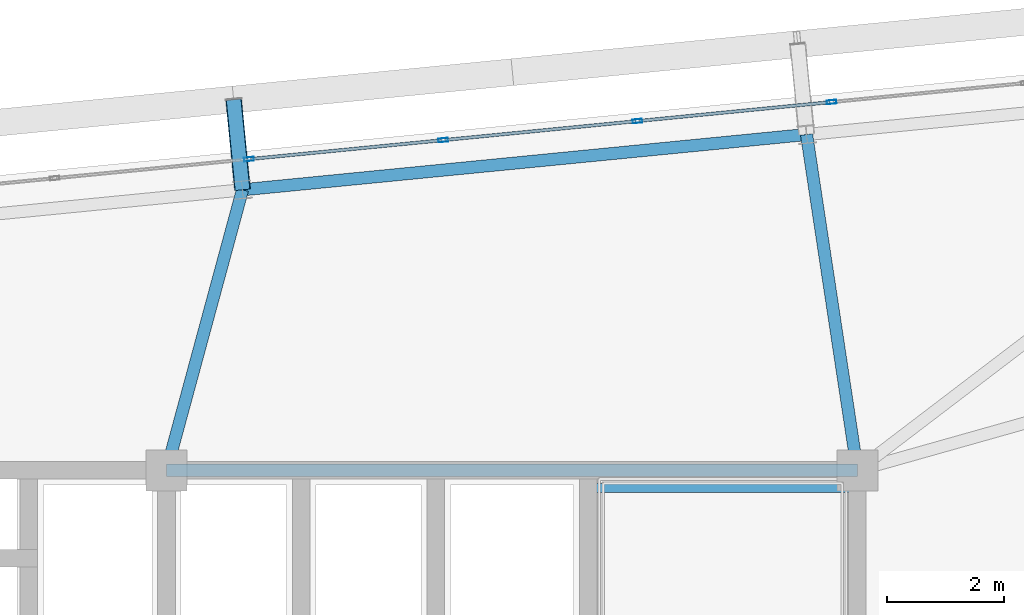
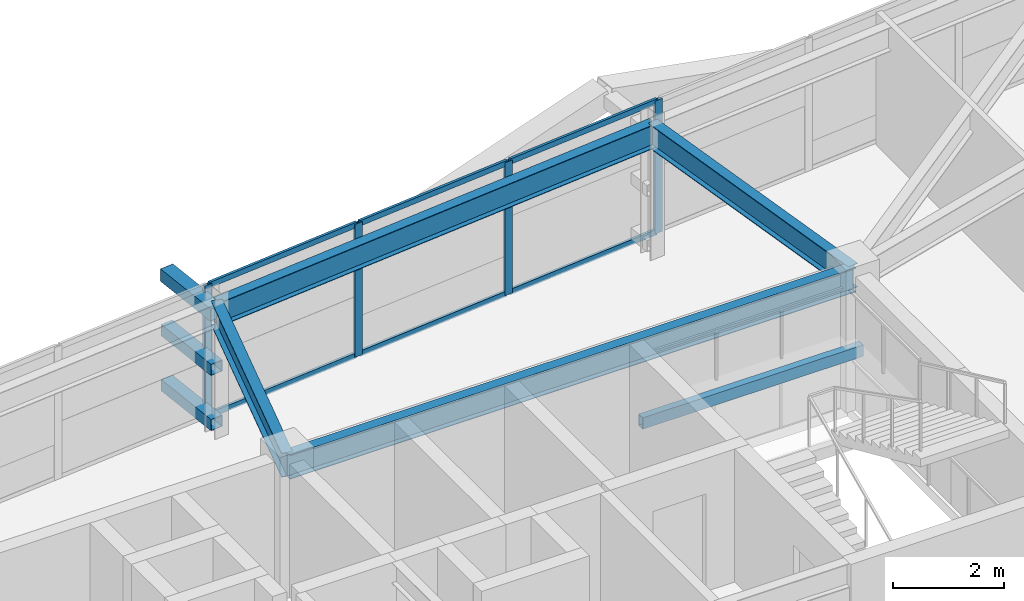
# One storey, part 31 of 53: 13 members, 5 beams, 1 element without a shape of its own.
"""IFC4 building model written with IfcOpenShell, lengths in metres."""

import ifcopenshell
import ifcopenshell.guid

model = None  # the IFC model being written
_history = None  # IfcOwnerHistory: only IFC2X3 demands one
_inside = {}  # id of a spatial element -> (the spatial element, [elements in it])
_under = {}  # id of a project, library or spatial element -> (it, [spatial elements below it])
_declared = {}  # id of a project -> (the project, [libraries it declares])
_typed = {}  # id of a type object -> (the type object, [elements of that type])
_made_of = {}  # id of a material, layer set ... -> (it, [elements and type objects made of it])


def new_model(schema):
    """Start an empty IFC model of exactly this schema.

    Asked for "IFC4X3", IfcOpenShell would pick the latest addendum, in which some entities
    have other attributes; the version numbers below select the first issue.
    IFC2X3 requires an IfcOwnerHistory on every rooted entity: one is made here for all.
    """
    global model, _history
    if schema == "IFC4X3":
        model = ifcopenshell.file(schema_version=(4, 3, 0, 0))
    else:
        model = ifcopenshell.file(schema=schema)
    _inside.clear()
    _under.clear()
    _declared.clear()
    _typed.clear()
    _made_of.clear()
    _history = None
    if model.schema == "IFC2X3":
        org = make("IfcOrganization", Name="unknown")
        user = make(
            "IfcPersonAndOrganization",
            ThePerson=make("IfcPerson", FamilyName="unknown"),
            TheOrganization=org,
        )
        app = make(
            "IfcApplication",
            ApplicationDeveloper=org,
            Version="unknown",
            ApplicationFullName="unknown",
            ApplicationIdentifier="unknown",
        )
        _history = make(
            "IfcOwnerHistory",
            OwningUser=user,
            OwningApplication=app,
            ChangeAction="ADDED",
            CreationDate=0,
        )
    return model


def make(cls, **values):
    """One entity of the class cls with the attributes given. An attribute that is None is left unset."""
    return model.create_entity(
        cls, **{name: value for name, value in values.items() if value is not None}
    )


def rooted(cls, **values):
    """An entity with a GlobalId (a new one), such as an element, a storey or a relation."""
    return make(cls, GlobalId=ifcopenshell.guid.new(), OwnerHistory=_history, **values)


def si_unit(unit_type, name, prefix=None):
    """IfcSIUnit, for example si_unit("LENGTHUNIT", "METRE", prefix="MILLI")."""
    return make("IfcSIUnit", UnitType=unit_type, Prefix=prefix, Name=name)


def assignment(units):
    """IfcUnitAssignment: the units of a project."""
    return None if units is None else make("IfcUnitAssignment", Units=units)


def point(xyz):
    """IfcCartesianPoint."""
    return None if xyz is None else make("IfcCartesianPoint", Coordinates=xyz)


def direction(xyz):
    """IfcDirection."""
    return None if xyz is None else make("IfcDirection", DirectionRatios=xyz)


def frame(location, z_axis=None, x_axis=None):
    """IfcAxis2Placement3D, a coordinate frame: its origin and axes. An axis left out is left unset."""
    return make(
        "IfcAxis2Placement3D",
        Location=point(location),
        Axis=direction(z_axis),
        RefDirection=direction(x_axis),
    )


def frame_2d(location, x_axis=None):
    """IfcAxis2Placement2D, a coordinate frame in the plane: its origin and x axis."""
    return make(
        "IfcAxis2Placement2D", Location=point(location), RefDirection=direction(x_axis)
    )


def origin():
    """The frame at (0, 0, 0) with its axes left unset."""
    return frame((0.0, 0.0, 0.0))


def origin_2d():
    """The frame at (0, 0) in the plane with its x axis left unset."""
    return frame_2d((0.0, 0.0))


def place(relative_to, where):
    """IfcLocalPlacement: puts the frame where relative to a parent placement (None: the world)."""
    return make(
        "IfcLocalPlacement", PlacementRelTo=relative_to, RelativePlacement=where
    )


def context(
    kind, dimensions, precision=None, world=None, true_north=None, identifier=None
):
    """IfcGeometricRepresentationContext, for example the 3D "Model" context."""
    return make(
        "IfcGeometricRepresentationContext",
        ContextIdentifier=identifier,
        ContextType=kind,
        CoordinateSpaceDimension=dimensions,
        Precision=precision,
        WorldCoordinateSystem=world,
        TrueNorth=true_north,
    )


def subcontext(parent, identifier, kind, view, scale=None):
    """IfcGeometricRepresentationSubContext, for example "Body" below "Model"."""
    return make(
        "IfcGeometricRepresentationSubContext",
        ContextIdentifier=identifier,
        ContextType=kind,
        ParentContext=parent,
        TargetScale=scale,
        TargetView=view,
    )


def project(units=None, contexts=None):
    """IfcProject with its units and contexts."""
    return rooted(
        "IfcProject",
        Name="project",
        RepresentationContexts=contexts,
        UnitsInContext=assignment(units),
    )


def spatial(cls, under=None, at=None, **own):
    """A site, building, storey or space (cls), placed at a placement, below another one or the project."""
    s = rooted(cls, ObjectPlacement=at, **own)
    if under is not None:
        _under.setdefault(under.id(), (under, []))[1].append(s)
    return s


def profile(cls, at=None, kind="AREA", **sizes):
    """A parametric profile (cls). Its sizes go by their IFC names, for example OverallWidth=200.0."""
    return make(cls, ProfileType=kind, Position=at, **sizes)


def hollow_rectangle(**sizes):
    """IfcRectangleHollowProfileDef."""
    return profile("IfcRectangleHollowProfileDef", **sizes)


def i_section(**sizes):
    """IfcIShapeProfileDef."""
    return profile("IfcIShapeProfileDef", **sizes)


def extrude(swept, where, along, depth):
    """IfcExtrudedAreaSolid: the profile swept, set in the frame where, extruded along a direction by depth."""
    return make(
        "IfcExtrudedAreaSolid",
        SweptArea=swept,
        Position=where,
        ExtrudedDirection=direction(along),
        Depth=depth,
    )


def shape(context_of_items, identifier, shape_type, items):
    """IfcShapeRepresentation: the items that make up one representation, for example the "Body"."""
    return make(
        "IfcShapeRepresentation",
        ContextOfItems=context_of_items,
        RepresentationIdentifier=identifier,
        RepresentationType=shape_type,
        Items=items,
    )


def source(mapping_origin, context_of_items, identifier, shape_type, items):
    """IfcRepresentationMap: a shape defined once, which mapped items show again and again."""
    return make(
        "IfcRepresentationMap",
        MappingOrigin=mapping_origin,
        MappedRepresentation=shape(context_of_items, identifier, shape_type, items),
    )


def transform(
    local_origin,
    x_axis=None,
    y_axis=None,
    z_axis=None,
    scale=None,
    scale2=None,
    scale3=None,
    uniform=True,
):
    """IfcCartesianTransformationOperator3D, or its non-uniform kind. x_axis, y_axis, z_axis: its Axis1, 2, 3."""
    if uniform:
        return make(
            "IfcCartesianTransformationOperator3D",
            Axis1=direction(x_axis),
            Axis2=direction(y_axis),
            LocalOrigin=point(local_origin),
            Scale=scale,
            Axis3=direction(z_axis),
        )
    return make(
        "IfcCartesianTransformationOperator3DnonUniform",
        Axis1=direction(x_axis),
        Axis2=direction(y_axis),
        LocalOrigin=point(local_origin),
        Scale=scale,
        Axis3=direction(z_axis),
        Scale2=scale2,
        Scale3=scale3,
    )


def mapped(mapping_source, mapping_target):
    """IfcMappedItem: shows the shape of a source again, moved by a transform."""
    return make(
        "IfcMappedItem", MappingSource=mapping_source, MappingTarget=mapping_target
    )


def material(Name=None, Category=None):
    """IfcMaterial."""
    return make("IfcMaterial", Name=Name, Category=Category)


def layer(
    of_material, thickness, ventilated=None, Name=None, Category=None, Priority=None
):
    """IfcMaterialLayer: one layer of a wall or slab, of a material (None: an air gap)."""
    return make(
        "IfcMaterialLayer",
        Material=of_material,
        LayerThickness=thickness,
        IsVentilated=ventilated,
        Name=Name,
        Category=Category,
        Priority=Priority,
    )


def layer_set(layers, Name=None):
    """IfcMaterialLayerSet."""
    return make("IfcMaterialLayerSet", MaterialLayers=layers, LayerSetName=Name)


def material_profile(
    of_material, cross_section, Name=None, Category=None, Priority=None
):
    """IfcMaterialProfile: a cross section and its material."""
    return make(
        "IfcMaterialProfile",
        Name=Name,
        Material=of_material,
        Profile=cross_section,
        Priority=Priority,
        Category=Category,
    )


def profile_set(profiles, Name=None, composite=None):
    """IfcMaterialProfileSet."""
    return make(
        "IfcMaterialProfileSet",
        Name=Name,
        MaterialProfiles=profiles,
        CompositeProfile=composite,
    )


def made_of(thing, what):
    """Note that an element or type object is made of a material, layer set ...; save() writes the relation."""
    if what is not None:
        _made_of.setdefault(what.id(), (what, []))[1].append(thing)
    return thing


def type_object(cls, material=None, **own):
    """A type object (cls), such as IfcWallType, which elements share."""
    return made_of(rooted(cls, **own), material)


def element(
    cls,
    number,
    at=None,
    inside=None,
    cuts=None,
    type_object=None,
    material=None,
    context=None,
    identifier="Body",
    shape_type=None,
    held_by="IfcProductDefinitionShape",
    body=None,
    shapes=None,
    **own,
):
    """One element of the class cls, such as IfcWall. Its Tag is "e" and its number.

    at: its placement. inside: the storey or other place that contains it. cuts: it is an
    opening in that element (IfcRelVoidsElement). A single representation is given by context,
    identifier, shape_type and body (its items); several are given by shapes. held_by: the class
    of the entity that holds the representations. save() writes the other relations.
    """
    e = rooted(cls, Tag="e%d" % number, ObjectPlacement=at, **own)
    if body is not None:
        shapes = [shape(context, identifier, shape_type, body)]
    if shapes is not None:
        e.Representation = make(held_by, Representations=shapes)
    if inside is not None:
        _inside.setdefault(inside.id(), (inside, []))[1].append(e)
    if cuts is not None:
        rooted(
            "IfcRelVoidsElement", RelatingBuildingElement=cuts, RelatedOpeningElement=e
        )
    if type_object is not None:
        _typed.setdefault(type_object.id(), (type_object, []))[1].append(e)
    return made_of(e, material)


def aggregate(whole, parts):
    """IfcRelAggregates: a whole, such as a stair, and the parts it consists of."""
    return rooted("IfcRelAggregates", RelatingObject=whole, RelatedObjects=parts)


def save(model, path):
    """Write the relations noted so far, then the file.

    IfcRelAggregates (storeys below a building ...), IfcRelContainedInSpatialStructure (elements
    in a storey), IfcRelDefinesByType, IfcRelAssociatesMaterial and IfcRelDeclares: one each for
    every whole, place, type object, material and project.
    """
    for whole, parts in _under.values():
        aggregate(whole, parts)
    for where, things in _inside.values():
        rooted(
            "IfcRelContainedInSpatialStructure",
            RelatedElements=things,
            RelatingStructure=where,
        )
    for kind, things in _typed.values():
        rooted("IfcRelDefinesByType", RelatedObjects=things, RelatingType=kind)
    for what, things in _made_of.values():
        rooted("IfcRelAssociatesMaterial", RelatedObjects=things, RelatingMaterial=what)
    for by, libraries in _declared.values():
        rooted("IfcRelDeclares", RelatingContext=by, RelatedDefinitions=libraries)
    model.write(path)


model = new_model("IFC4")

# Units and contexts
model_context = context("Model", 3, precision=1e-05, world=origin(), true_north=direction((0.0, 1.0)))
body_context = subcontext(model_context, "Body", "Model", "MODEL_VIEW")
ifc_project = project(units=[si_unit("LENGTHUNIT", "METRE"), si_unit("AREAUNIT", "SQUARE_METRE"), si_unit("VOLUMEUNIT", "CUBIC_METRE"), si_unit("PLANEANGLEUNIT", "RADIAN"), si_unit("MASSUNIT", "GRAM", prefix="KILO")], contexts=[model_context])

# Site, building, storey
site_placement = place(None, origin())
site = spatial("IfcSite", under=ifc_project, at=site_placement, CompositionType="ELEMENT")
building_placement = place(site_placement, origin())
building = spatial("IfcBuilding", under=site, at=building_placement, Name="Taldren Reach Tower", CompositionType="ELEMENT")
storey_placement = place(building_placement, frame((0.0, 0.0, 71.39990234375)))
storey = spatial("IfcBuildingStorey", under=building, at=storey_placement, Name="L21", CompositionType="ELEMENT", Elevation=71.39990234375)

# Beam
ifc_material_1 = material(Name="Steel Gr 350 (350PLUS)", Category="steel")
ifc_material_profile_1 = material_profile(ifc_material_1, i_section(OverallWidth=0.208984375, OverallDepth=0.532958984375, WebThickness=0.01025390625, FlangeThickness=0.015625, at=origin_2d()), Name="530UB92.4")
ifc_profile_set_1 = profile_set([ifc_material_profile_1], Name="Steel Gr 350 (350PLUS)")
beam_type_1 = type_object("IfcBeamType", Name="BM-UB530A", PredefinedType="BEAM", material=ifc_profile_set_1)
shared_shape_1 = source(origin(), body_context, "Body", "SweptSolid", [
    extrude(i_section(OverallWidth=0.208984375, OverallDepth=0.532958984375, WebThickness=0.01025390625, FlangeThickness=0.015625, at=origin_2d()), origin(), (0.0, 0.0, 1.0), 11.800048828125),
])
beam_1_placement = place(storey_placement, frame((39.199951171875, 32.0, 2.66357421875), z_axis=(1.0, 0.0, 0.0), x_axis=(0.0, 1.0, 0.0)))
element("IfcBeam", 1, at=beam_1_placement, inside=storey, type_object=beam_type_1, Name="Core-spine girder L21-SP06", PredefinedType="BEAM", context=body_context, shape_type="MappedRepresentation", body=[
    mapped(shared_shape_1, transform((0.0, 0.0, 0.0), scale=1.0)),
])

# Members
ifc_material_2 = material(Name="Steel Gr 450 (C450L0)", Category="steel")
ifc_material_profile_2 = material_profile(ifc_material_2, hollow_rectangle(XDim=0.27490234375, YDim=0.27490234375, WallThickness=0.00927734375, at=origin_2d()), Name="275x275x9.3SHS")
ifc_profile_set_2 = profile_set([ifc_material_profile_2], Name="Steel Gr 450 (C450L0)")
member_type_1 = type_object("IfcMemberType", Name="MB-TIE273", PredefinedType="STRUT", material=ifc_profile_set_2)
shared_shape_2 = source(origin(), body_context, "Body", "SweptSolid", [
    extrude(hollow_rectangle(XDim=0.27490234375, YDim=0.27490234375, WallThickness=0.00927734375, at=origin_2d()), origin(), (0.0, 0.0, 1.0), 1.5498046875),
])
member_1_placement = place(storey_placement, frame((40.498291015625, 36.790771484375, 2.650146484375), z_axis=(-0.097663201064, 0.995219523099, 0.0), x_axis=(-0.995219523099, -0.097663201064, 0.0)))
element("IfcMember", 2, at=member_1_placement, inside=storey, type_object=member_type_1, Name="Exoskeleton diaphragm tie strut B2-N4 L21", PredefinedType="STRUT", context=body_context, shape_type="MappedRepresentation", body=[
    mapped(shared_shape_2, transform((0.0, 0.0, 0.0), scale=1.0)),
])
ifc_material_3 = material(Name="Steel Gr 350 (C350L0)", Category="steel")
ifc_material_profile_3 = material_profile(ifc_material_3, hollow_rectangle(XDim=0.25, YDim=0.25, WallThickness=0.010009765625, at=origin_2d()), Name="250x250x10.0SHS")
ifc_profile_set_3 = profile_set([ifc_material_profile_3], Name="Steel Gr 350 (C350L0)")
member_type_2 = type_object("IfcMemberType", Name="MB-POST250", PredefinedType="POST", material=ifc_profile_set_3)
shared_shape_3 = source(origin(), body_context, "Body", "SweptSolid", [
    extrude(hollow_rectangle(XDim=0.25, YDim=0.25, WallThickness=0.010009765625, at=origin_2d()), origin(), (0.0, 0.0, 1.0), 1.5498046875),
])
for number, where, z_axis, x_axis, name in (
    (3, (40.498291015625, 36.790771484375, 0.22021484375), (-0.097663201064, 0.995219523099, 0.0), (-0.995219523099, -0.097663201064, 0.0), "Exoskeleton base diaphragm tie strut B2-N4 L21"),
    (4, (40.498291015625, 36.790771484375, 1.43505859375), (-0.097663201064, 0.995219523099, 0.0), (-0.995219523099, -0.097663201064, 0.0), "Exoskeleton mid-tier diaphragm tie B2-N4 L21"),
):
    element("IfcMember", number, at=place(storey_placement, frame(where, z_axis=z_axis, x_axis=x_axis)), inside=storey, type_object=member_type_2, Name=name, PredefinedType="POST", context=body_context, shape_type="MappedRepresentation", body=[
        mapped(shared_shape_3, transform((0.0, 0.0, 0.0), scale=1.0)),
    ])

# Beams
ifc_material_profile_4 = material_profile(ifc_material_1, i_section(OverallWidth=0.208984375, OverallDepth=0.528076171875, WebThickness=0.009521484375, FlangeThickness=0.01318359375, at=origin_2d()), Name="530UB82.0")
ifc_profile_set_4 = profile_set([ifc_material_profile_4], Name="Steel Gr 350 (350PLUS)")
beam_type_2 = type_object("IfcBeamType", Name="SP-UB530B", PredefinedType="SPANDREL", material=ifc_profile_set_4)
shared_shape_4 = source(origin(), body_context, "Body", "SweptSolid", [
    extrude(i_section(OverallWidth=0.208984375, OverallDepth=0.528076171875, WebThickness=0.009521484375, FlangeThickness=0.01318359375, at=origin_2d()), origin(), (0.0, 0.0, 1.0), 9.679931640625),
])
beam_2_placement = place(storey_placement, frame((50.132080078125, 37.7353515625, 2.666015625), z_axis=(-0.995227612658, -0.097580730699, 0.0), x_axis=(0.097580730699, -0.995227612658, 0.0)))
element("IfcBeam", 5, at=beam_2_placement, inside=storey, type_object=beam_type_2, Name="Perimeter spandrel B2 N5-N4 L21", PredefinedType="SPANDREL", context=body_context, shape_type="MappedRepresentation", body=[
    mapped(shared_shape_4, transform((0.0, 0.0, 0.0), scale=1.0)),
])
shared_shape_5 = source(origin(), body_context, "Body", "SweptSolid", [
    extrude(i_section(OverallWidth=0.208984375, OverallDepth=0.532958984375, WebThickness=0.01025390625, FlangeThickness=0.015625, at=origin_2d()), origin(), (0.0, 0.0, 1.0), 5.800537109375),
])
beam_3_placement = place(storey_placement, frame((51.0, 32.0, 2.66357421875), z_axis=(-0.149624592867, 0.988742879221, 0.0), x_axis=(-0.988742879221, -0.149624592867, 0.0)))
element("IfcBeam", 6, at=beam_3_placement, inside=storey, type_object=beam_type_1, Name="Primary floor girder B2-N5 L21", PredefinedType="BEAM", context=body_context, shape_type="MappedRepresentation", body=[
    mapped(shared_shape_5, transform((0.0, 0.0, 0.0), scale=1.0)),
])
shared_shape_6 = source(origin(), body_context, "Body", "SweptSolid", [
    extrude(i_section(OverallWidth=0.208984375, OverallDepth=0.532958984375, WebThickness=0.01025390625, FlangeThickness=0.015625, at=origin_2d()), origin(), (0.0, 0.0, 1.0), 4.963623046875),
])
beam_4_placement = place(storey_placement, frame((39.199951171875, 32.0, 2.66357421875), z_axis=(0.261572995851, 0.965183696423, 0.0), x_axis=(-0.965183696423, 0.261572995851, 0.0)))
element("IfcBeam", 7, at=beam_4_placement, inside=storey, type_object=beam_type_1, Name="Primary floor girder B2-N4 L21", PredefinedType="BEAM", context=body_context, shape_type="MappedRepresentation", body=[
    mapped(shared_shape_6, transform((0.0, 0.0, 0.0), scale=1.0)),
])

# Curtain wall, members
ifc_material_4 = material(Name="Aluminium and Low-E Glass Unitised System", Category="aluminium")
ifc_layer = layer(ifc_material_4, 0.159912109375)
ifc_layer_set = layer_set([ifc_layer], Name="Aluminium and Low-E Glass Unitised System")
curtain_wall_type = type_object("IfcCurtainWallType", Name="CW-SYS-3", PredefinedType="NOTDEFINED", material=ifc_layer_set)
curtain_wall_placement = place(storey_placement, origin())
curtain_wall = element("IfcCurtainWall", 8, at=curtain_wall_placement, inside=storey, type_object=curtain_wall_type, Name="Unitised curtain wall CW-L21-N", PredefinedType="NOTDEFINED")
ifc_material_5 = material(Name="Anodised Aluminium 6063-T6", Category="aluminium")
ifc_material_profile_5 = material_profile(ifc_material_5, hollow_rectangle(XDim=0.06494140625, YDim=0.1650390625, WallThickness=0.00390625, at=origin_2d()), Name="ALU-165x65x4RHS")
ifc_profile_set_5 = profile_set([ifc_material_profile_5], Name="Anodised Aluminium 6063-T6")
member_type_3 = type_object("IfcMemberType", Name="CW-MUL-165", PredefinedType="MULLION", material=ifc_profile_set_5)
shared_shape_7 = source(origin(), body_context, "Body", "SweptSolid", [
    extrude(hollow_rectangle(XDim=0.06494140625, YDim=0.1650390625, WallThickness=0.00390625, at=origin_2d()), origin(), (0.0, 0.0, 1.0), 2.93017578125),
])
member_2_placement = place(storey_placement, frame((50.56005859375, 38.289794921875, 0.0), z_axis=(0.0, 0.0, 1.0), x_axis=(0.097582999046, -0.995227390247, 0.0)))
member_2 = element("IfcMember", 9, at=member_2_placement, type_object=member_type_3, Name="CW-3 mullion 4", PredefinedType="MULLION", context=body_context, shape_type="MappedRepresentation", body=[
    mapped(shared_shape_7, transform((0.0, 0.0, 0.0), scale=1.0)),
])
member_3_placement = place(storey_placement, frame((47.242431640625, 37.96435546875, 0.0), z_axis=(0.0, 0.0, 1.0), x_axis=(0.097582999046, -0.995227390247, 0.0)))
member_3 = element("IfcMember", 10, at=member_3_placement, type_object=member_type_3, Name="CW-3 mullion 5", PredefinedType="MULLION", context=body_context, shape_type="MappedRepresentation", body=[
    mapped(shared_shape_7, transform((0.0, 0.0, 0.0), scale=1.0)),
])
member_4_placement = place(storey_placement, frame((43.925048828125, 37.63916015625, 0.0), z_axis=(0.0, 0.0, 1.0), x_axis=(0.097582999046, -0.995227390247, 0.0)))
member_4 = element("IfcMember", 11, at=member_4_placement, type_object=member_type_3, Name="CW-3 mullion 6", PredefinedType="MULLION", context=body_context, shape_type="MappedRepresentation", body=[
    mapped(shared_shape_7, transform((0.0, 0.0, 0.0), scale=1.0)),
])
member_5_placement = place(storey_placement, frame((40.607666015625, 37.31396484375, 0.0), z_axis=(0.0, 0.0, 1.0), x_axis=(0.097582999046, -0.995227390247, 0.0)))
member_5 = element("IfcMember", 12, at=member_5_placement, type_object=member_type_3, Name="CW-3 mullion 7", PredefinedType="MULLION", context=body_context, shape_type="MappedRepresentation", body=[
    mapped(shared_shape_7, transform((0.0, 0.0, 0.0), scale=1.0)),
])
ifc_material_profile_6 = material_profile(ifc_material_5, hollow_rectangle(XDim=0.054931640625, YDim=0.1201171875, WallThickness=0.0029296875, at=origin_2d()), Name="ALU-120x55x3RHS")
ifc_profile_set_6 = profile_set([ifc_material_profile_6], Name="Anodised Aluminium 6063-T6")
member_type_4 = type_object("IfcMemberType", Name="CW-TRN-135", PredefinedType="USERDEFINED", material=ifc_profile_set_6)
shared_shape_8 = source(origin(), body_context, "Body", "SweptSolid", [
    extrude(hollow_rectangle(XDim=0.054931640625, YDim=0.1201171875, WallThickness=0.0029296875, at=origin_2d()), origin(), (0.0, 0.0, 1.0), 3.268310546875),
])
member_6_placement = place(storey_placement, frame((50.527587890625, 38.28662109375, 0.027587890625), z_axis=(-0.995222549564, -0.097632355496, 0.0), x_axis=(0.097632355496, -0.995222549564, 0.0)))
member_6 = element("IfcMember", 13, at=member_6_placement, type_object=member_type_4, Name="CW-3 transom 4.1", ObjectType="TRANSOM", PredefinedType="USERDEFINED", context=body_context, shape_type="MappedRepresentation", body=[
    mapped(shared_shape_8, transform((0.0, 0.0, 0.0), scale=1.0)),
])
member_7_placement = place(storey_placement, frame((50.527587890625, 38.28662109375, 2.902587890625), z_axis=(-0.995222549564, -0.097632355496, 0.0), x_axis=(0.097632355496, -0.995222549564, 0.0)))
member_7 = element("IfcMember", 14, at=member_7_placement, type_object=member_type_4, Name="CW-3 transom 4.2", ObjectType="TRANSOM", PredefinedType="USERDEFINED", context=body_context, shape_type="MappedRepresentation", body=[
    mapped(shared_shape_8, transform((0.0, 0.0, 0.0), scale=1.0)),
])
member_8_placement = place(storey_placement, frame((47.210205078125, 37.961181640625, 0.027587890625), z_axis=(-0.99522980512, -0.097558367146, 0.0), x_axis=(0.097558367146, -0.99522980512, 0.0)))
member_8 = element("IfcMember", 15, at=member_8_placement, type_object=member_type_4, Name="CW-3 transom 5.1", ObjectType="TRANSOM", PredefinedType="USERDEFINED", context=body_context, shape_type="MappedRepresentation", body=[
    mapped(shared_shape_8, transform((0.0, 0.0, 0.0), scale=1.0)),
])
member_9_placement = place(storey_placement, frame((47.210205078125, 37.961181640625, 2.902587890625), z_axis=(-0.99522980512, -0.097558367146, 0.0), x_axis=(0.097558367146, -0.99522980512, 0.0)))
member_9 = element("IfcMember", 16, at=member_9_placement, type_object=member_type_4, Name="CW-3 transom 5.2", ObjectType="TRANSOM", PredefinedType="USERDEFINED", context=body_context, shape_type="MappedRepresentation", body=[
    mapped(shared_shape_8, transform((0.0, 0.0, 0.0), scale=1.0)),
])
member_10_placement = place(storey_placement, frame((43.892822265625, 37.635986328125, 0.027587890625), z_axis=(-0.99522980512, -0.097558367146, 0.0), x_axis=(0.097558367146, -0.99522980512, 0.0)))
member_10 = element("IfcMember", 17, at=member_10_placement, type_object=member_type_4, Name="CW-3 transom 6.1", ObjectType="TRANSOM", PredefinedType="USERDEFINED", context=body_context, shape_type="MappedRepresentation", body=[
    mapped(shared_shape_8, transform((0.0, 0.0, 0.0), scale=1.0)),
])
member_11_placement = place(storey_placement, frame((43.892822265625, 37.635986328125, 2.902587890625), z_axis=(-0.99522980512, -0.097558367146, 0.0), x_axis=(0.097558367146, -0.99522980512, 0.0)))
member_11 = element("IfcMember", 18, at=member_11_placement, type_object=member_type_4, Name="CW-3 transom 6.2", ObjectType="TRANSOM", PredefinedType="USERDEFINED", context=body_context, shape_type="MappedRepresentation", body=[
    mapped(shared_shape_8, transform((0.0, 0.0, 0.0), scale=1.0)),
])
aggregate(curtain_wall, [member_2, member_3, member_4, member_5, member_6, member_7, member_8, member_9, member_10, member_11])

# Beam
ifc_material_profile_7 = material_profile(ifc_material_3, hollow_rectangle(XDim=0.14990234375, YDim=0.25, WallThickness=0.009033203125, at=origin_2d()), Name="250x150x9.0RHS")
ifc_profile_set_7 = profile_set([ifc_material_profile_7], Name="Steel Gr 350 (C350L0)")
beam_type_3 = type_object("IfcBeamType", Name="LN-RHS250", PredefinedType="LINTEL", material=ifc_profile_set_7)
shared_shape_9 = source(origin(), body_context, "Body", "SweptSolid", [
    extrude(hollow_rectangle(XDim=0.14990234375, YDim=0.25, WallThickness=0.009033203125, at=origin_2d()), origin(), (0.0, 0.0, 1.0), 4.60009765625),
])
beam_5_placement = place(storey_placement, frame((46.39990234375, 31.699951171875, 1.27001953125), z_axis=(1.0, 0.0, 0.0), x_axis=(0.0, 1.0, 0.0)))
element("IfcBeam", 19, at=beam_5_placement, inside=storey, type_object=beam_type_3, Name="Stair half-landing support beam ST2-L21-2", PredefinedType="LINTEL", context=body_context, shape_type="MappedRepresentation", body=[
    mapped(shared_shape_9, transform((0.0, 0.0, 0.0), scale=1.0)),
])

save(model, "model.ifc")
